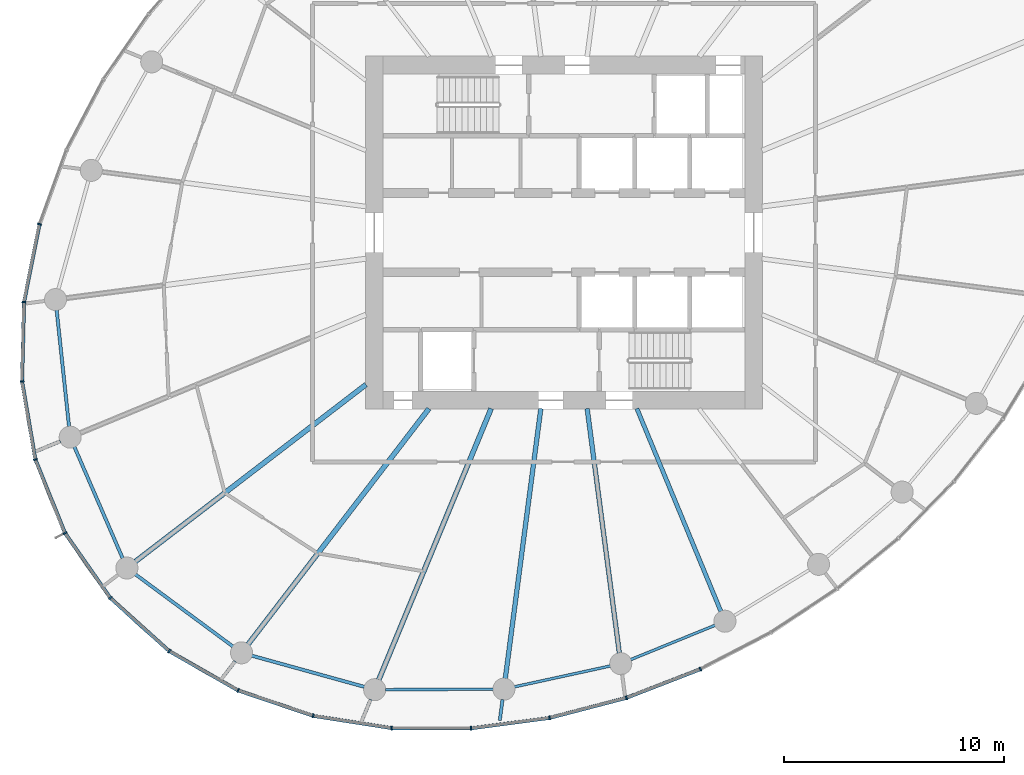
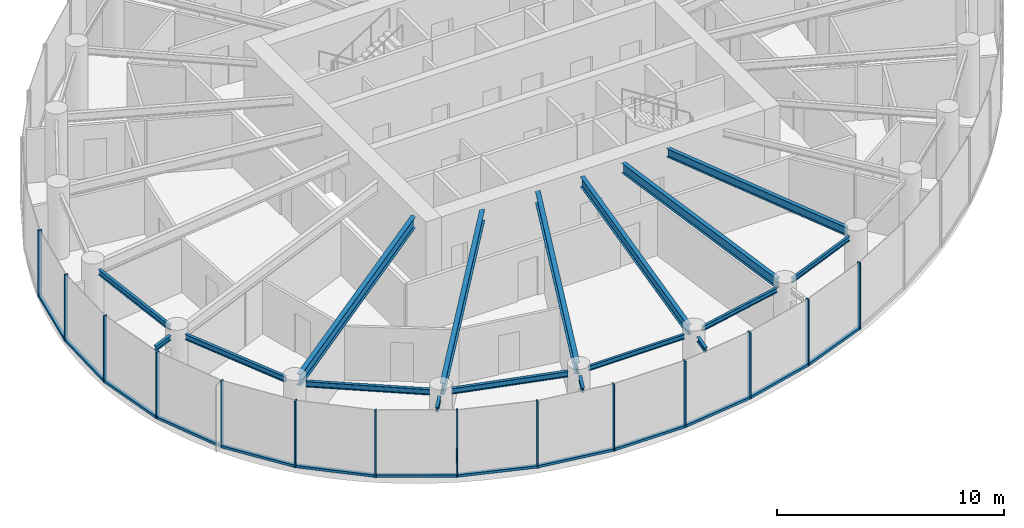
# One storey, part 2 of 15: 27 members, 17 beams, 3 elements without a shape of their own.
"""IFC4 building model written with IfcOpenShell, lengths in metres."""

from ifc_helpers import new_model, si_unit, direction, frame, origin, origin_2d, place, context, subcontext, project, spatial, rectangle, i_section, extrude, source, transform, mapped, material, layer, layer_set, material_profile, profile_set, type_object, element, aggregate, save


model = new_model("IFC4")

# Units and contexts
model_context = context("Model", 3, precision=1e-05, world=origin(), true_north=direction((0.0, 1.0)))
body_context = subcontext(model_context, "Body", "Model", "MODEL_VIEW")
ifc_project = project(units=[si_unit("LENGTHUNIT", "METRE"), si_unit("AREAUNIT", "SQUARE_METRE"), si_unit("VOLUMEUNIT", "CUBIC_METRE"), si_unit("PLANEANGLEUNIT", "RADIAN"), si_unit("MASSUNIT", "GRAM", prefix="KILO")], contexts=[model_context])

# Site, building, storey
site_placement = place(None, origin())
site = spatial("IfcSite", under=ifc_project, at=site_placement, CompositionType="ELEMENT")
building_placement = place(site_placement, origin())
building = spatial("IfcBuilding", under=site, at=building_placement, Name="Spindrift Exchange Tower", CompositionType="ELEMENT")
storey_placement = place(building_placement, frame((0.0, 0.0, 172.10009765625)))
storey = spatial("IfcBuildingStorey", under=building, at=storey_placement, Name="L41", CompositionType="ELEMENT", Elevation=172.10009765625)

# Beams
ifc_material_1 = material(Name="Steel Grade 300", Category="steel")
ifc_material_profile_1 = material_profile(ifc_material_1, i_section(OverallWidth=0.14599609375, OverallDepth=0.251953125, WebThickness=0.006103515625, FlangeThickness=0.008544921875, FilletRadius=0.011962890625, at=origin_2d()), Name="250UB31.4")
ifc_profile_set_1 = profile_set([ifc_material_profile_1], Name="Steel Grade 300")
beam_type_1 = type_object("IfcBeamType", Name="Cantilever Beam 250UB31.4 Steel Grade 300", PredefinedType="BEAM", material=ifc_profile_set_1)
shared_shape_1 = source(origin(), body_context, "Body", "SweptSolid", [
    extrude(i_section(OverallWidth=0.14599609375, OverallDepth=0.251953125, WebThickness=0.006103515625, FlangeThickness=0.008544921875, FilletRadius=0.011962890625, at=origin_2d()), origin(), (0.0, 0.0, 1.0), 0.92138671875),
])
beam_1_placement = place(storey_placement, frame((37.0830078125, 28.559814453125, 3.453857421875), z_axis=(-0.60869854627, -0.793401587955, 0.0), x_axis=(0.793401587955, -0.60869854627, 0.0)))
element("IfcBeam", 1, at=beam_1_placement, inside=storey, type_object=beam_type_1, Name="L41 cantilever beam R16T", PredefinedType="BEAM", context=body_context, shape_type="MappedRepresentation", body=[
    mapped(shared_shape_1, transform((0.0, 0.0, 0.0), scale=1.0)),
])
ifc_material_profile_2 = material_profile(ifc_material_1, i_section(OverallWidth=0.14892578125, OverallDepth=0.298095703125, WebThickness=0.005615234375, FlangeThickness=0.008056640625, FilletRadius=0.012939453125, at=origin_2d()), Name="310UB32.0")
ifc_profile_set_2 = profile_set([ifc_material_profile_2], Name="Steel Grade 300")
beam_type_2 = type_object("IfcBeamType", Name="Edge Beam 310UB32.0 Steel Grade 300", PredefinedType="SPANDREL", material=ifc_profile_set_2)
shared_shape_2 = source(origin(), body_context, "Body", "SweptSolid", [
    extrude(i_section(OverallWidth=0.14892578125, OverallDepth=0.298095703125, WebThickness=0.005615234375, FlangeThickness=0.008056640625, FilletRadius=0.012939453125, at=origin_2d()), origin(), (0.0, 0.0, 1.0), 5.31640625),
])
beam_2_placement = place(storey_placement, frame((28.989013671875, 44.486572265625, 3.430908203125), z_axis=(0.10598990948, -0.994367205357, 0.0), x_axis=(0.994367205357, 0.10598990948, 0.0)))
element("IfcBeam", 2, at=beam_2_placement, inside=storey, type_object=beam_type_2, Name="L41 edge beam E13", PredefinedType="SPANDREL", context=body_context, shape_type="MappedRepresentation", body=[
    mapped(shared_shape_2, transform((0.0, 0.0, 0.0), scale=1.0)),
])
shared_shape_3 = source(origin(), body_context, "Body", "SweptSolid", [
    extrude(i_section(OverallWidth=0.14892578125, OverallDepth=0.298095703125, WebThickness=0.005615234375, FlangeThickness=0.008056640625, FilletRadius=0.012939453125, at=origin_2d()), origin(), (0.0, 0.0, 1.0), 5.508544921875),
])
beam_3_placement = place(storey_placement, frame((29.794189453125, 38.282470703125, 3.430908203125), z_axis=(0.397414644433, -0.917639144975, 0.0), x_axis=(0.917639144975, 0.397414644433, 0.0)))
element("IfcBeam", 3, at=beam_3_placement, inside=storey, type_object=beam_type_2, Name="L41 edge beam E14", PredefinedType="SPANDREL", context=body_context, shape_type="MappedRepresentation", body=[
    mapped(shared_shape_3, transform((0.0, 0.0, 0.0), scale=1.0)),
])
shared_shape_4 = source(origin(), body_context, "Body", "SweptSolid", [
    extrude(i_section(OverallWidth=0.14892578125, OverallDepth=0.298095703125, WebThickness=0.005615234375, FlangeThickness=0.008056640625, FilletRadius=0.012939453125, at=origin_2d()), origin(), (0.0, 0.0, 1.0), 5.509033203125),
])
beam_4_placement = place(storey_placement, frame((32.56005859375, 32.501708984375, 3.430908203125), z_axis=(0.803991901791, -0.594640245741, 0.0), x_axis=(0.594640245741, 0.803991901791, 0.0)))
element("IfcBeam", 4, at=beam_4_placement, inside=storey, type_object=beam_type_2, Name="L41 edge beam E15", PredefinedType="SPANDREL", context=body_context, shape_type="MappedRepresentation", body=[
    mapped(shared_shape_4, transform((0.0, 0.0, 0.0), scale=1.0)),
])
shared_shape_5 = source(origin(), body_context, "Body", "SweptSolid", [
    extrude(i_section(OverallWidth=0.14892578125, OverallDepth=0.298095703125, WebThickness=0.005615234375, FlangeThickness=0.008056640625, FilletRadius=0.012939453125, at=origin_2d()), origin(), (0.0, 0.0, 1.0), 5.30517578125),
])
beam_5_placement = place(storey_placement, frame((37.837646484375, 28.8125, 3.430908203125), z_axis=(0.963757513624, -0.26677978734, 0.0), x_axis=(0.26677978734, 0.963757513624, 0.0)))
element("IfcBeam", 5, at=beam_5_placement, inside=storey, type_object=beam_type_2, Name="L41 edge beam E16", PredefinedType="SPANDREL", context=body_context, shape_type="MappedRepresentation", body=[
    mapped(shared_shape_5, transform((0.0, 0.0, 0.0), scale=1.0)),
])
ifc_material_profile_3 = material_profile(ifc_material_1, i_section(OverallWidth=0.1240234375, OverallDepth=0.248046875, WebThickness=0.0048828125, FlangeThickness=0.008056640625, FilletRadius=0.011962890625, at=origin_2d()), Name="250UB25.7")
ifc_profile_set_3 = profile_set([ifc_material_profile_3], Name="Steel Grade 300")
beam_type_3 = type_object("IfcBeamType", Name="Edge Beam 250UB25.7 Steel Grade 300", PredefinedType="SPANDREL", material=ifc_profile_set_3)
shared_shape_6 = source(origin(), body_context, "Body", "SweptSolid", [
    extrude(i_section(OverallWidth=0.1240234375, OverallDepth=0.248046875, WebThickness=0.0048828125, FlangeThickness=0.008056640625, FilletRadius=0.011962890625, at=origin_2d()), origin(), (0.0, 0.0, 1.0), 4.901123046875),
])
beam_6_placement = place(storey_placement, frame((43.89306640625, 27.271240234375, 3.455810546875), z_axis=(0.999990609444, 0.004333707747, 0.0), x_axis=(-0.004333707747, 0.999990609444, 0.0)))
element("IfcBeam", 6, at=beam_6_placement, inside=storey, type_object=beam_type_3, Name="L41 edge beam E17", PredefinedType="SPANDREL", context=body_context, shape_type="MappedRepresentation", body=[
    mapped(shared_shape_6, transform((0.0, 0.0, 0.0), scale=1.0)),
])
shared_shape_7 = source(origin(), body_context, "Body", "SweptSolid", [
    extrude(i_section(OverallWidth=0.1240234375, OverallDepth=0.248046875, WebThickness=0.0048828125, FlangeThickness=0.008056640625, FilletRadius=0.011962890625, at=origin_2d()), origin(), (0.0, 0.0, 1.0), 4.464111328125),
])
beam_7_placement = place(storey_placement, frame((49.7431640625, 27.396728515625, 3.455810546875), z_axis=(0.977095837978, 0.212799726048, 0.0), x_axis=(-0.212799726048, 0.977095837978, 0.0)))
element("IfcBeam", 7, at=beam_7_placement, inside=storey, type_object=beam_type_3, Name="L41 edge beam E18", PredefinedType="SPANDREL", context=body_context, shape_type="MappedRepresentation", body=[
    mapped(shared_shape_7, transform((0.0, 0.0, 0.0), scale=1.0)),
])
shared_shape_8 = source(origin(), body_context, "Body", "SweptSolid", [
    extrude(i_section(OverallWidth=0.1240234375, OverallDepth=0.248046875, WebThickness=0.0048828125, FlangeThickness=0.008056640625, FilletRadius=0.011962890625, at=origin_2d()), origin(), (0.0, 0.0, 1.0), 4.143798828125),
])
beam_8_placement = place(storey_placement, frame((55.0185546875, 28.6298828125, 3.455810546875), z_axis=(0.926113706975, 0.377244485385, 0.0), x_axis=(-0.377244485385, 0.926113706975, 0.0)))
element("IfcBeam", 8, at=beam_8_placement, inside=storey, type_object=beam_type_3, Name="L41 edge beam E19", PredefinedType="SPANDREL", context=body_context, shape_type="MappedRepresentation", body=[
    mapped(shared_shape_8, transform((0.0, 0.0, 0.0), scale=1.0)),
])
ifc_material_profile_4 = material_profile(ifc_material_1, i_section(OverallWidth=0.22802734375, OverallDepth=0.60205078125, WebThickness=0.010498046875, FlangeThickness=0.014892578125, FilletRadius=0.013916015625, at=origin_2d()), Name="610UB101")
ifc_profile_set_4 = profile_set([ifc_material_profile_4], Name="Steel Grade 300")
beam_type_4 = type_object("IfcBeamType", Name="Floor Beam 610UB101 Steel Grade 300", PredefinedType="BEAM", material=ifc_profile_set_4)
shared_shape_9 = source(origin(), body_context, "Body", "SweptSolid", [
    extrude(i_section(OverallWidth=0.22802734375, OverallDepth=0.60205078125, WebThickness=0.010498046875, FlangeThickness=0.014892578125, FilletRadius=0.013916015625, at=origin_2d()), origin(), (0.0, 0.0, 1.0), 13.185546875),
])
beam_9_placement = place(storey_placement, frame((43.015869140625, 41.106201171875, 3.27880859375), z_axis=(-0.793357156703, -0.608756455332, 0.0), x_axis=(0.608756455332, -0.793357156703, 0.0)))
element("IfcBeam", 9, at=beam_9_placement, inside=storey, type_object=beam_type_4, Name="L41 radial beam R15A", PredefinedType="BEAM", context=body_context, shape_type="MappedRepresentation", body=[
    mapped(shared_shape_9, transform((0.0, 0.0, 0.0), scale=1.0)),
])
shared_shape_10 = source(origin(), body_context, "Body", "SweptSolid", [
    extrude(i_section(OverallWidth=0.22802734375, OverallDepth=0.60205078125, WebThickness=0.010498046875, FlangeThickness=0.014892578125, FilletRadius=0.013916015625, at=origin_2d()), origin(), (0.0, 0.0, 1.0), 13.480224609375),
])
beam_10_placement = place(storey_placement, frame((45.87353515625, 40.015869140625, 3.27880859375), z_axis=(-0.608764179541, -0.793351229726, 0.0), x_axis=(0.793351229726, -0.608764179541, 0.0)))
element("IfcBeam", 10, at=beam_10_placement, inside=storey, type_object=beam_type_4, Name="L41 radial beam R16A", PredefinedType="BEAM", context=body_context, shape_type="MappedRepresentation", body=[
    mapped(shared_shape_10, transform((0.0, 0.0, 0.0), scale=1.0)),
])
shared_shape_11 = source(origin(), body_context, "Body", "SweptSolid", [
    extrude(i_section(OverallWidth=0.22802734375, OverallDepth=0.60205078125, WebThickness=0.010498046875, FlangeThickness=0.014892578125, FilletRadius=0.013916015625, at=origin_2d()), origin(), (0.0, 0.0, 1.0), 13.31982421875),
])
beam_11_placement = place(storey_placement, frame((48.69384765625, 40.0185546875, 3.27880859375), z_axis=(-0.382676632888, -0.923882348918, 0.0), x_axis=(0.923882348918, -0.382676632888, 0.0)))
element("IfcBeam", 11, at=beam_11_placement, inside=storey, type_object=beam_type_4, Name="L41 radial beam R17A", PredefinedType="BEAM", context=body_context, shape_type="MappedRepresentation", body=[
    mapped(shared_shape_11, transform((0.0, 0.0, 0.0), scale=1.0)),
])
ifc_material_profile_5 = material_profile(ifc_material_1, i_section(OverallWidth=0.208984375, OverallDepth=0.528076171875, WebThickness=0.009521484375, FlangeThickness=0.01318359375, FilletRadius=0.013916015625, at=origin_2d()), Name="530UB82.0")
ifc_profile_set_5 = profile_set([ifc_material_profile_5], Name="Steel Grade 300")
beam_type_5 = type_object("IfcBeamType", Name="Floor Beam 530UB82.0 Steel Grade 300", PredefinedType="BEAM", material=ifc_profile_set_5)
shared_shape_12 = source(origin(), body_context, "Body", "SweptSolid", [
    extrude(i_section(OverallWidth=0.208984375, OverallDepth=0.528076171875, WebThickness=0.009521484375, FlangeThickness=0.01318359375, FilletRadius=0.013916015625, at=origin_2d()), origin(), (0.0, 0.0, 1.0), 12.35498046875),
])
beam_12_placement = place(storey_placement, frame((50.949462890625, 40.019775390625, 3.31591796875), z_axis=(-0.130537831721, -0.991443328935, 0.0), x_axis=(0.991443328935, -0.130537831721, 0.0)))
element("IfcBeam", 12, at=beam_12_placement, inside=storey, type_object=beam_type_5, Name="L41 radial beam R18A", PredefinedType="BEAM", context=body_context, shape_type="MappedRepresentation", body=[
    mapped(shared_shape_12, transform((0.0, 0.0, 0.0), scale=1.0)),
])
shared_shape_13 = source(origin(), body_context, "Body", "SweptSolid", [
    extrude(i_section(OverallWidth=0.208984375, OverallDepth=0.528076171875, WebThickness=0.009521484375, FlangeThickness=0.01318359375, FilletRadius=0.013916015625, at=origin_2d()), origin(), (0.0, 0.0, 1.0), 11.19091796875),
])
beam_13_placement = place(storey_placement, frame((53.050537109375, 40.019775390625, 3.31591796875), z_axis=(0.130524489434, -0.991445085548, 0.0), x_axis=(0.991445085548, 0.130524489434, 0.0)))
element("IfcBeam", 13, at=beam_13_placement, inside=storey, type_object=beam_type_5, Name="L41 radial beam R19A", PredefinedType="BEAM", context=body_context, shape_type="MappedRepresentation", body=[
    mapped(shared_shape_13, transform((0.0, 0.0, 0.0), scale=1.0)),
])
ifc_material_profile_6 = material_profile(ifc_material_1, i_section(OverallWidth=0.18994140625, OverallDepth=0.4541015625, WebThickness=0.008544921875, FlangeThickness=0.0126953125, FilletRadius=0.013916015625, at=origin_2d()), Name="460UB67.1")
ifc_profile_set_6 = profile_set([ifc_material_profile_6], Name="Steel Grade 300")
beam_type_6 = type_object("IfcBeamType", Name="Floor Beam 460UB67.1 Steel Grade 300", PredefinedType="BEAM", material=ifc_profile_set_6)
shared_shape_14 = source(origin(), body_context, "Body", "SweptSolid", [
    extrude(i_section(OverallWidth=0.18994140625, OverallDepth=0.4541015625, WebThickness=0.008544921875, FlangeThickness=0.0126953125, FilletRadius=0.013916015625, at=origin_2d()), origin(), (0.0, 0.0, 1.0), 9.958984375),
])
beam_14_placement = place(storey_placement, frame((55.30615234375, 40.0185546875, 3.352783203125), z_axis=(0.382673670509, -0.923883575944, 0.0), x_axis=(0.923883575944, 0.382673670509, 0.0)))
element("IfcBeam", 14, at=beam_14_placement, inside=storey, type_object=beam_type_6, Name="L41 radial beam R20A", PredefinedType="BEAM", context=body_context, shape_type="MappedRepresentation", body=[
    mapped(shared_shape_14, transform((0.0, 0.0, 0.0), scale=1.0)),
])
shared_shape_15 = source(origin(), body_context, "Body", "SweptSolid", [
    extrude(i_section(OverallWidth=0.14599609375, OverallDepth=0.251953125, WebThickness=0.006103515625, FlangeThickness=0.008544921875, FilletRadius=0.011962890625, at=origin_2d()), origin(), (0.0, 0.0, 1.0), 1.1044921875),
])
beam_15_placement = place(storey_placement, frame((29.159912109375, 38.539306640625, 3.453857421875), z_axis=(-0.923911779543, -0.382605571864, 0.0), x_axis=(0.382605571864, -0.923911779543, 0.0)))
element("IfcBeam", 15, at=beam_15_placement, inside=storey, type_object=beam_type_1, Name="L41 cantilever beam R14T", PredefinedType="BEAM", context=body_context, shape_type="MappedRepresentation", body=[
    mapped(shared_shape_15, transform((0.0, 0.0, 0.0), scale=1.0)),
])
shared_shape_16 = source(origin(), body_context, "Body", "SweptSolid", [
    extrude(i_section(OverallWidth=0.14599609375, OverallDepth=0.251953125, WebThickness=0.006103515625, FlangeThickness=0.008544921875, FilletRadius=0.011962890625, at=origin_2d()), origin(), (0.0, 0.0, 1.0), 0.99267578125),
])
beam_16_placement = place(storey_placement, frame((43.229248046875, 26.82568359375, 3.453857421875), z_axis=(-0.382728331332, -0.923860933472, 0.0), x_axis=(0.923860933472, -0.382728331332, 0.0)))
element("IfcBeam", 16, at=beam_16_placement, inside=storey, type_object=beam_type_1, Name="L41 cantilever beam R17T", PredefinedType="BEAM", context=body_context, shape_type="MappedRepresentation", body=[
    mapped(shared_shape_16, transform((0.0, 0.0, 0.0), scale=1.0)),
])
shared_shape_17 = source(origin(), body_context, "Body", "SweptSolid", [
    extrude(i_section(OverallWidth=0.14599609375, OverallDepth=0.251953125, WebThickness=0.006103515625, FlangeThickness=0.008544921875, FilletRadius=0.011962890625, at=origin_2d()), origin(), (0.0, 0.0, 1.0), 0.951416015625),
])
beam_17_placement = place(storey_placement, frame((49.21142578125, 26.81884765625, 3.453857421875), z_axis=(-0.13060053092, -0.991435071663, 0.0), x_axis=(0.991435071663, -0.13060053092, 0.0)))
element("IfcBeam", 17, at=beam_17_placement, inside=storey, type_object=beam_type_1, Name="L41 cantilever beam R18T", PredefinedType="BEAM", context=body_context, shape_type="MappedRepresentation", body=[
    mapped(shared_shape_17, transform((0.0, 0.0, 0.0), scale=1.0)),
])

# Curtain wall, members
ifc_material_2 = material(Name="Fritted laminated glass with bronze frame", Category="glass")
ifc_layer = layer(ifc_material_2, 0.179931640625)
ifc_layer_set = layer_set([ifc_layer], Name="ZONE 3 BRONZE FRITTED WALL")
curtain_wall_type = type_object("IfcCurtainWallType", Name="ZONE 3 BRONZE FRITTED WALL", PredefinedType="NOTDEFINED", material=ifc_layer_set)
curtain_wall_1_placement = place(storey_placement, origin())
curtain_wall_1 = element("IfcCurtainWall", 18, at=curtain_wall_1_placement, inside=storey, type_object=curtain_wall_type, Name="L41 Zone 3 Bronze Fritted Wall run 3", PredefinedType="NOTDEFINED")
ifc_material_3 = material(Name="Bronze anodised aluminium", Category="aluminium")
ifc_material_profile_7 = material_profile(ifc_material_3, rectangle(XDim=0.070068359375, YDim=0.179931640625, at=origin_2d()), Name="ZONE 3 BRONZE FRITTED WALL MULLION 70X180")
ifc_profile_set_7 = profile_set([ifc_material_profile_7], Name="Bronze anodised aluminium")
member_type_1 = type_object("IfcMemberType", Name="ZONE 3 BRONZE FRITTED WALL MULLION 70X180", PredefinedType="MULLION", material=ifc_profile_set_7)
shared_shape_18 = source(origin(), body_context, "Body", "SweptSolid", [
    extrude(rectangle(XDim=0.070068359375, YDim=0.179931640625, at=origin_2d()), origin(), (0.0, 0.0, 1.0), 3.579833984375),
])
member_1_placement = place(storey_placement, frame((28.20947265625, 48.38037109375, 0.0), z_axis=(0.0, 0.0, 1.0), x_axis=(-0.26855053835, -0.963265595956, 0.0)))
member_1 = element("IfcMember", 19, at=member_1_placement, type_object=member_type_1, Name="L41 mullion CW-3.17", PredefinedType="MULLION", context=body_context, shape_type="MappedRepresentation", body=[
    mapped(shared_shape_18, transform((0.0, 0.0, 0.0), scale=1.0)),
])
member_2_placement = place(storey_placement, frame((27.508056640625, 44.8505859375, 0.0), z_axis=(0.0, 0.0, 1.0), x_axis=(-0.110281014733, -0.993900446619, 0.0)))
member_2 = element("IfcMember", 20, at=member_2_placement, type_object=member_type_1, Name="L41 mullion CW-3.18", PredefinedType="MULLION", context=body_context, shape_type="MappedRepresentation", body=[
    mapped(shared_shape_18, transform((0.0, 0.0, 0.0), scale=1.0)),
])

curtain_wall_2_placement = place(storey_placement, origin())
curtain_wall_2 = element("IfcCurtainWall", 21, at=curtain_wall_2_placement, inside=storey, type_object=curtain_wall_type, Name="L41 Zone 3 Bronze Fritted Wall run 4", PredefinedType="NOTDEFINED")
member_3_placement = place(storey_placement, frame((27.418701171875, 41.254150390625, 0.0), z_axis=(0.0, 0.0, 1.0), x_axis=(0.071857191972, -0.997414930689, 0.0)))
member_3 = element("IfcMember", 22, at=member_3_placement, type_object=member_type_1, Name="L41 mullion CW-3.19", PredefinedType="MULLION", context=body_context, shape_type="MappedRepresentation", body=[
    mapped(shared_shape_18, transform((0.0, 0.0, 0.0), scale=1.0)),
])
member_4_placement = place(storey_placement, frame((28.0224609375, 37.708984375, 0.0), z_axis=(0.0, 0.0, 1.0), x_axis=(0.272301701967, -0.962211922139, 0.0)))
member_4 = element("IfcMember", 23, at=member_4_placement, type_object=member_type_1, Name="L41 mullion CW-3.20", PredefinedType="MULLION", context=body_context, shape_type="MappedRepresentation", body=[
    mapped(shared_shape_18, transform((0.0, 0.0, 0.0), scale=1.0)),
])
member_5_placement = place(storey_placement, frame((29.365478515625, 34.3740234375, 0.0), z_axis=(0.0, 0.0, 1.0), x_axis=(0.476277587323, -0.87929497884, 0.0)))
member_5 = element("IfcMember", 24, at=member_5_placement, type_object=member_type_1, Name="L41 mullion CW-3.21", PredefinedType="MULLION", context=body_context, shape_type="MappedRepresentation", body=[
    mapped(shared_shape_18, transform((0.0, 0.0, 0.0), scale=1.0)),
])
member_6_placement = place(storey_placement, frame((31.4248046875, 31.427734375, 0.0), z_axis=(0.0, 0.0, 1.0), x_axis=(0.662022121542, -0.749484296426, 0.0)))
member_6 = element("IfcMember", 25, at=member_6_placement, type_object=member_type_1, Name="L41 mullion CW-3.22", PredefinedType="MULLION", context=body_context, shape_type="MappedRepresentation", body=[
    mapped(shared_shape_18, transform((0.0, 0.0, 0.0), scale=1.0)),
])
member_7_placement = place(storey_placement, frame((34.0947265625, 29.020263671875, 0.0), z_axis=(0.0, 0.0, 1.0), x_axis=(0.810008139885, -0.586418633163, 0.0)))
member_7 = element("IfcMember", 26, at=member_7_placement, type_object=member_type_1, Name="L41 mullion CW-3.23", PredefinedType="MULLION", context=body_context, shape_type="MappedRepresentation", body=[
    mapped(shared_shape_18, transform((0.0, 0.0, 0.0), scale=1.0)),
])
member_8_placement = place(storey_placement, frame((37.216552734375, 27.23486328125, 0.0), z_axis=(0.0, 0.0, 1.0), x_axis=(0.911952157919, -0.41029655332, 0.0)))
member_8 = element("IfcMember", 27, at=member_8_placement, type_object=member_type_1, Name="L41 mullion CW-3.24", PredefinedType="MULLION", context=body_context, shape_type="MappedRepresentation", body=[
    mapped(shared_shape_18, transform((0.0, 0.0, 0.0), scale=1.0)),
])

curtain_wall_3_placement = place(storey_placement, origin())
curtain_wall_3 = element("IfcCurtainWall", 28, at=curtain_wall_3_placement, inside=storey, type_object=curtain_wall_type, Name="L41 Zone 3 Bronze Fritted Wall run 5", PredefinedType="NOTDEFINED")
member_9_placement = place(storey_placement, frame((40.62451171875, 26.08251953125, 0.0), z_axis=(0.0, 0.0, 1.0), x_axis=(0.971255717759, -0.238038506801, 0.0)))
member_9 = element("IfcMember", 29, at=member_9_placement, type_object=member_type_1, Name="L41 mullion CW-3.25", PredefinedType="MULLION", context=body_context, shape_type="MappedRepresentation", body=[
    mapped(shared_shape_18, transform((0.0, 0.0, 0.0), scale=1.0)),
])
member_10_placement = place(storey_placement, frame((44.180419921875, 25.5283203125, 0.0), z_axis=(0.0, 0.0, 1.0), x_axis=(0.996884296747, -0.078877746535, 0.0)))
member_10 = element("IfcMember", 30, at=member_10_placement, type_object=member_type_1, Name="L41 mullion CW-3.26", PredefinedType="MULLION", context=body_context, shape_type="MappedRepresentation", body=[
    mapped(shared_shape_18, transform((0.0, 0.0, 0.0), scale=1.0)),
])
member_11_placement = place(storey_placement, frame((47.77978515625, 25.5166015625, 0.0), z_axis=(0.0, 0.0, 1.0), x_axis=(0.997927216974, 0.064352697085, 0.0)))
member_11 = element("IfcMember", 31, at=member_11_placement, type_object=member_type_1, Name="L41 mullion CW-3.27", PredefinedType="MULLION", context=body_context, shape_type="MappedRepresentation", body=[
    mapped(shared_shape_18, transform((0.0, 0.0, 0.0), scale=1.0)),
])
member_12_placement = place(storey_placement, frame((51.348388671875, 25.990478515625, 0.0), z_axis=(0.0, 0.0, 1.0), x_axis=(0.981319062851, 0.192387361555, 0.0)))
member_12 = element("IfcMember", 32, at=member_12_placement, type_object=member_type_1, Name="L41 mullion CW-3.28", PredefinedType="MULLION", context=body_context, shape_type="MappedRepresentation", body=[
    mapped(shared_shape_18, transform((0.0, 0.0, 0.0), scale=1.0)),
])
member_13_placement = place(storey_placement, frame((54.83251953125, 26.899169921875, 0.0), z_axis=(0.0, 0.0, 1.0), x_axis=(0.951621026589, 0.307274180096, 0.0)))
member_13 = element("IfcMember", 33, at=member_13_placement, type_object=member_type_1, Name="L41 mullion CW-3.29", PredefinedType="MULLION", context=body_context, shape_type="MappedRepresentation", body=[
    mapped(shared_shape_18, transform((0.0, 0.0, 0.0), scale=1.0)),
])
member_14_placement = place(storey_placement, frame((58.18994140625, 28.19970703125, 0.0), z_axis=(0.0, 0.0, 1.0), x_axis=(0.911514412503, 0.411268131271, 0.0)))
member_14 = element("IfcMember", 34, at=member_14_placement, type_object=member_type_1, Name="L41 mullion CW-3.30", PredefinedType="MULLION", context=body_context, shape_type="MappedRepresentation", body=[
    mapped(shared_shape_18, transform((0.0, 0.0, 0.0), scale=1.0)),
])
ifc_material_profile_8 = material_profile(ifc_material_3, rectangle(XDim=0.159912109375, YDim=0.1298828125, at=origin_2d()), Name="ZONE 3 BRONZE FRITTED WALL TRANSOM 160X130")
ifc_profile_set_8 = profile_set([ifc_material_profile_8], Name="Bronze anodised aluminium")
member_type_2 = type_object("IfcMemberType", Name="ZONE 3 BRONZE FRITTED WALL TRANSOM 160X130", PredefinedType="USERDEFINED", material=ifc_profile_set_8)
shared_shape_19 = source(origin(), body_context, "Body", "SweptSolid", [
    extrude(rectangle(XDim=0.159912109375, YDim=0.1298828125, at=origin_2d()), origin(), (0.0, 0.0, 1.0), 3.53076171875),
])
member_15_placement = place(storey_placement, frame((54.864990234375, 26.911865234375, 0.06494140625), z_axis=(0.932507261306, 0.361151225404, 0.0), x_axis=(-0.361151225404, 0.932507261306, 0.0)))
member_15 = element("IfcMember", 35, at=member_15_placement, type_object=member_type_2, Name="L41 transom CW-3.29", ObjectType="TRANSOM", PredefinedType="USERDEFINED", context=body_context, shape_type="MappedRepresentation", body=[
    mapped(shared_shape_19, transform((0.0, 0.0, 0.0), scale=1.0)),
])
shared_shape_20 = source(origin(), body_context, "Body", "SweptSolid", [
    extrude(rectangle(XDim=0.159912109375, YDim=0.1298828125, at=origin_2d()), origin(), (0.0, 0.0, 1.0), 3.529296875),
])
member_16_placement = place(storey_placement, frame((44.21533203125, 25.528076171875, 0.06494140625), z_axis=(0.999994714744, -0.003251227974, 0.0), x_axis=(0.003251227974, 0.999994714744, 0.0)))
member_16 = element("IfcMember", 36, at=member_16_placement, type_object=member_type_2, Name="L41 transom CW-3.26", ObjectType="TRANSOM", PredefinedType="USERDEFINED", context=body_context, shape_type="MappedRepresentation", body=[
    mapped(shared_shape_20, transform((0.0, 0.0, 0.0), scale=1.0)),
])

# Member
shared_shape_21 = source(origin(), body_context, "Body", "SweptSolid", [
    extrude(rectangle(XDim=0.159912109375, YDim=0.1298828125, at=origin_2d()), origin(), (0.0, 0.0, 1.0), 3.5263671875),
])
member_17_placement = place(storey_placement, frame((27.424560546875, 41.2197265625, 0.06494140625), z_axis=(0.167889535782, -0.985805814435, 0.0), x_axis=(0.985805814435, 0.167889535782, 0.0)))
member_17 = element("IfcMember", 37, at=member_17_placement, type_object=member_type_2, Name="L41 transom CW-3.19", ObjectType="TRANSOM", PredefinedType="USERDEFINED", context=body_context, shape_type="MappedRepresentation", body=[
    mapped(shared_shape_21, transform((0.0, 0.0, 0.0), scale=1.0)),
])

member_18_placement = place(storey_placement, frame((34.125, 29.0029296875, 0.06494140625), z_axis=(0.868051353377, -0.496474418174, 0.0), x_axis=(0.496474418174, 0.868051353377, 0.0)))
member_18 = element("IfcMember", 38, at=member_18_placement, type_object=member_type_2, Name="L41 transom CW-3.23", ObjectType="TRANSOM", PredefinedType="USERDEFINED", context=body_context, shape_type="MappedRepresentation", body=[
    mapped(shared_shape_21, transform((0.0, 0.0, 0.0), scale=1.0)),
])

shared_shape_22 = source(origin(), body_context, "Body", "SweptSolid", [
    extrude(rectangle(XDim=0.159912109375, YDim=0.1298828125, at=origin_2d()), origin(), (0.0, 0.0, 1.0), 3.525146484375),
])
member_19_placement = place(storey_placement, frame((28.03564453125, 37.676513671875, 0.06494140625), z_axis=(0.373562841162, -0.927604874773, 0.0), x_axis=(0.927604874773, 0.373562841162, 0.0)))
member_19 = element("IfcMember", 39, at=member_19_placement, type_object=member_type_2, Name="L41 transom CW-3.20", ObjectType="TRANSOM", PredefinedType="USERDEFINED", context=body_context, shape_type="MappedRepresentation", body=[
    mapped(shared_shape_22, transform((0.0, 0.0, 0.0), scale=1.0)),
])

member_20_placement = place(storey_placement, frame((31.45068359375, 31.404296875, 0.06494140625), z_axis=(0.742663598329, -0.669664677072, 0.0), x_axis=(0.669664677072, 0.742663598329, 0.0)))
member_20 = element("IfcMember", 40, at=member_20_placement, type_object=member_type_2, Name="L41 transom CW-3.22", ObjectType="TRANSOM", PredefinedType="USERDEFINED", context=body_context, shape_type="MappedRepresentation", body=[
    mapped(shared_shape_22, transform((0.0, 0.0, 0.0), scale=1.0)),
])

shared_shape_23 = source(origin(), body_context, "Body", "SweptSolid", [
    extrude(rectangle(XDim=0.159912109375, YDim=0.1298828125, at=origin_2d()), origin(), (0.0, 0.0, 1.0), 3.530517578125),
])
member_21_placement = place(storey_placement, frame((51.38232421875, 25.999267578125, 0.06494140625), z_axis=(0.967623146869, 0.252399377265, 0.0), x_axis=(-0.252399377265, 0.967623146869, 0.0)))
member_21 = element("IfcMember", 41, at=member_21_placement, type_object=member_type_2, Name="L41 transom CW-3.28", ObjectType="TRANSOM", PredefinedType="USERDEFINED", context=body_context, shape_type="MappedRepresentation", body=[
    mapped(shared_shape_23, transform((0.0, 0.0, 0.0), scale=1.0)),
])

shared_shape_24 = source(origin(), body_context, "Body", "SweptSolid", [
    extrude(rectangle(XDim=0.159912109375, YDim=0.1298828125, at=origin_2d()), origin(), (0.0, 0.0, 1.0), 3.530029296875),
])
member_22_placement = place(storey_placement, frame((47.814453125, 25.52099609375, 0.06494140625), z_axis=(0.991291811606, 0.131683500265, 0.0), x_axis=(-0.131683500265, 0.991291811606, 0.0)))
member_22 = element("IfcMember", 42, at=member_22_placement, type_object=member_type_2, Name="L41 transom CW-3.27", ObjectType="TRANSOM", PredefinedType="USERDEFINED", context=body_context, shape_type="MappedRepresentation", body=[
    mapped(shared_shape_24, transform((0.0, 0.0, 0.0), scale=1.0)),
])

shared_shape_25 = source(origin(), body_context, "Body", "SweptSolid", [
    extrude(rectangle(XDim=0.159912109375, YDim=0.1298828125, at=origin_2d()), origin(), (0.0, 0.0, 1.0), 3.524658203125),
])
member_23_placement = place(storey_placement, frame((29.3857421875, 34.345458984375, 0.06494140625), z_axis=(0.572774114556, -0.819713250896, 0.0), x_axis=(0.819713250896, 0.572774114556, 0.0)))
member_23 = element("IfcMember", 43, at=member_23_placement, type_object=member_type_2, Name="L41 transom CW-3.21", ObjectType="TRANSOM", PredefinedType="USERDEFINED", context=body_context, shape_type="MappedRepresentation", body=[
    mapped(shared_shape_25, transform((0.0, 0.0, 0.0), scale=1.0)),
])

shared_shape_26 = source(origin(), body_context, "Body", "SweptSolid", [
    extrude(rectangle(XDim=0.159912109375, YDim=0.1298828125, at=origin_2d()), origin(), (0.0, 0.0, 1.0), 3.52734375),
])
member_24_placement = place(storey_placement, frame((27.50732421875, 44.815673828125, 0.06494140625), z_axis=(-0.024846937477, -0.999691267191, 0.0), x_axis=(0.999691267191, -0.024846937477, 0.0)))
member_24 = element("IfcMember", 44, at=member_24_placement, type_object=member_type_2, Name="L41 transom CW-3.18", ObjectType="TRANSOM", PredefinedType="USERDEFINED", context=body_context, shape_type="MappedRepresentation", body=[
    mapped(shared_shape_26, transform((0.0, 0.0, 0.0), scale=1.0)),
])

member_25_placement = place(storey_placement, frame((37.249755859375, 27.2236328125, 0.06494140625), z_axis=(0.947310994018, -0.320315283138, 0.0), x_axis=(0.320315283138, 0.947310994018, 0.0)))
member_25 = element("IfcMember", 45, at=member_25_placement, type_object=member_type_2, Name="L41 transom CW-3.24", ObjectType="TRANSOM", PredefinedType="USERDEFINED", context=body_context, shape_type="MappedRepresentation", body=[
    mapped(shared_shape_26, transform((0.0, 0.0, 0.0), scale=1.0)),
])

aggregate(curtain_wall_2, [member_3, member_17, member_4, member_19, member_5, member_23, member_6, member_20, member_7, member_18, member_8, member_25])

shared_shape_27 = source(origin(), body_context, "Body", "SweptSolid", [
    extrude(rectangle(XDim=0.159912109375, YDim=0.1298828125, at=origin_2d()), origin(), (0.0, 0.0, 1.0), 3.528564453125),
])
member_26_placement = place(storey_placement, frame((28.20263671875, 48.345947265625, 0.06494140625), z_axis=(-0.19490517958, -0.980822089358, 0.0), x_axis=(0.980822089358, -0.19490517958, 0.0)))
member_26 = element("IfcMember", 46, at=member_26_placement, type_object=member_type_2, Name="L41 transom CW-3.17", ObjectType="TRANSOM", PredefinedType="USERDEFINED", context=body_context, shape_type="MappedRepresentation", body=[
    mapped(shared_shape_27, transform((0.0, 0.0, 0.0), scale=1.0)),
])

aggregate(curtain_wall_1, [member_1, member_26, member_2, member_24])

member_27_placement = place(storey_placement, frame((40.6591796875, 26.0771484375, 0.06494140625), z_axis=(0.988069018073, -0.15401173827, 0.0), x_axis=(0.15401173827, 0.988069018073, 0.0)))
member_27 = element("IfcMember", 47, at=member_27_placement, type_object=member_type_2, Name="L41 transom CW-3.25", ObjectType="TRANSOM", PredefinedType="USERDEFINED", context=body_context, shape_type="MappedRepresentation", body=[
    mapped(shared_shape_27, transform((0.0, 0.0, 0.0), scale=1.0)),
])

aggregate(curtain_wall_3, [member_9, member_27, member_10, member_16, member_11, member_22, member_12, member_21, member_13, member_15, member_14])

save(model, "model.ifc")
